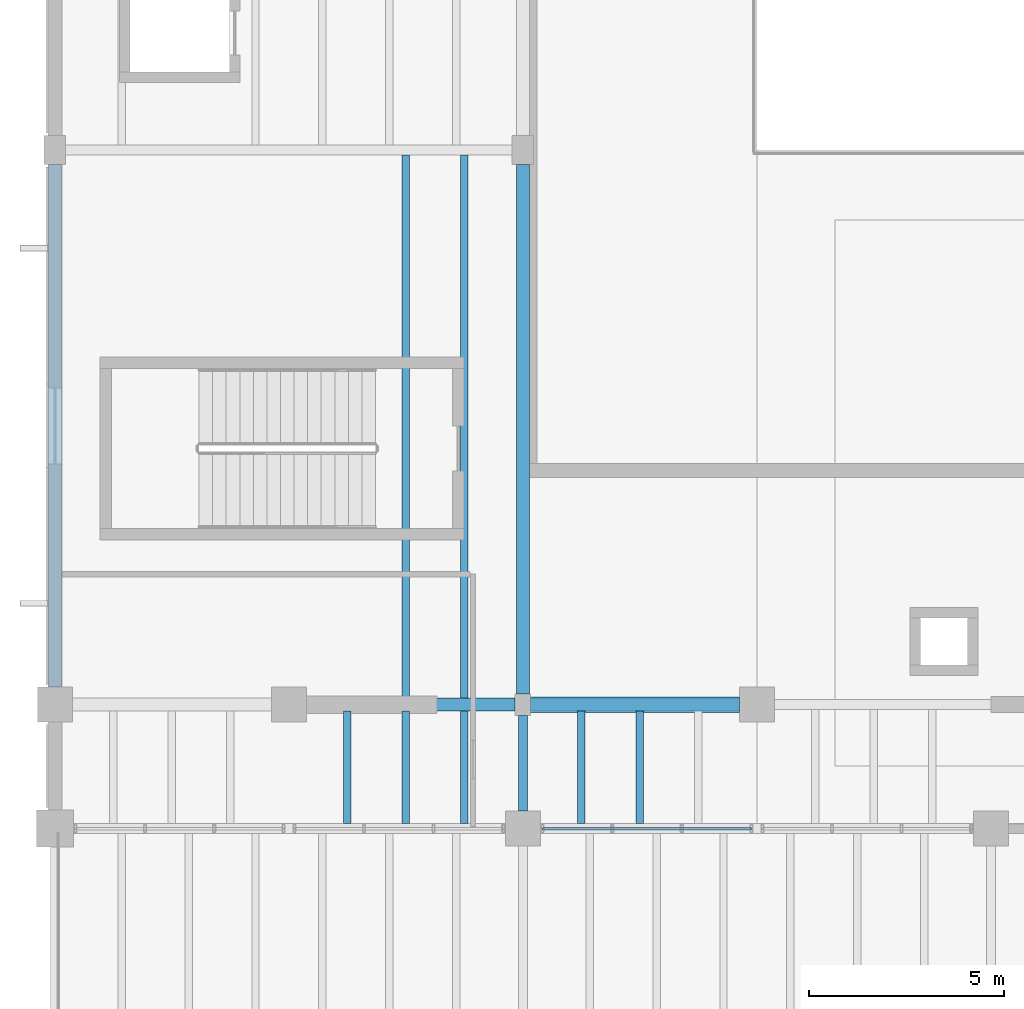
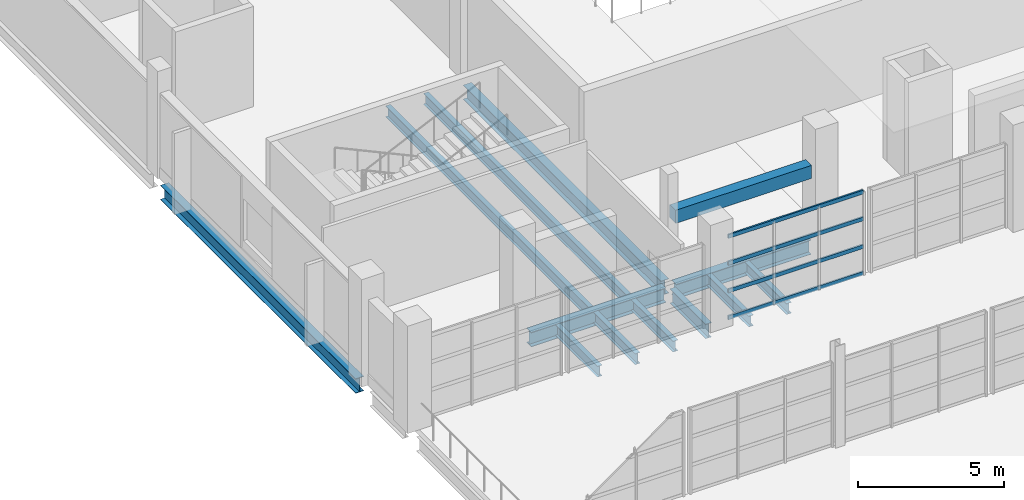
# One storey, part 55 of 114: 13 beams, 4 members, 1 element without a shape of its own.
"""IFC4 building model written with IfcOpenShell, lengths in metres."""

from ifc_helpers import new_model, si_unit, direction, frame, origin, origin_2d, place, context, subcontext, project, spatial, rectangle, hollow_rectangle, i_section, extrude, material, material_profile, profile_set, type_object, element, aggregate, save


model = new_model("IFC4")

# Units and contexts
model_context = context("Model", 3, precision=1e-05, world=origin(), true_north=direction((0.0, 1.0)))
body_context = subcontext(model_context, "Body", "Model", "MODEL_VIEW")
ifc_project = project(units=[si_unit("LENGTHUNIT", "METRE"), si_unit("AREAUNIT", "SQUARE_METRE"), si_unit("VOLUMEUNIT", "CUBIC_METRE"), si_unit("PLANEANGLEUNIT", "RADIAN"), si_unit("MASSUNIT", "GRAM", prefix="KILO")], contexts=[model_context])

# Site, building, storey
site_placement = place(None, origin())
site = spatial("IfcSite", under=ifc_project, at=site_placement, CompositionType="ELEMENT")
building_placement = place(site_placement, origin())
building = spatial("IfcBuilding", under=site, at=building_placement, Name="Kelmvaro Bay Concert Hall", CompositionType="ELEMENT")
storey_placement = place(building_placement, frame((0.0, 0.0, 4.800048828125)))
storey = spatial("IfcBuildingStorey", under=building, at=storey_placement, Name="L01", CompositionType="ELEMENT", Elevation=4.800048828125)

# Beams
ifc_material_1 = material(Name="Steel ASTM A992 Grade 50", Category="steel")
ifc_material_profile_1 = material_profile(ifc_material_1, i_section(OverallWidth=0.19189453125, OverallDepth=0.4619140625, WebThickness=0.010498046875, FlangeThickness=0.017578125, at=origin_2d()), Name="W18X60")
ifc_profile_set_1 = profile_set([ifc_material_profile_1], Name="Steel ASTM A992 Grade 50")
beam_type_1 = type_object("IfcBeamType", Name="Acoustic Box Floor Joist W18x60", PredefinedType="JOIST", material=ifc_profile_set_1)
for number, where, z_axis, x_axis, name in (
    (1, (9.0, 68.741943359375, -0.531005859375), (0.0, 1.0, 0.0), (-1.0, 0.0, 0.0), "L01 Floor Joist JST-L01-0586"),
    (2, (10.5, 68.741943359375, -0.531005859375), (0.0, 1.0, 0.0), (-1.0, 0.0, 0.0), "L01 Floor Joist JST-L01-0587"),
):
    element("IfcBeam", number, at=place(storey_placement, frame(where, z_axis=z_axis, x_axis=x_axis)), inside=storey, type_object=beam_type_1, Name=name, PredefinedType="JOIST", context=body_context, shape_type="SweptSolid", body=[
        extrude(i_section(OverallWidth=0.19189453125, OverallDepth=0.4619140625, WebThickness=0.010498046875, FlangeThickness=0.017578125, at=origin_2d()), origin(), (0.0, 0.0, 1.0), 13.93017578125),
    ])
ifc_material_2 = material(Name="Concrete C40/50", Category="concrete")
ifc_material_profile_2 = material_profile(ifc_material_2, rectangle(XDim=0.39990234375, YDim=0.550048828125, at=origin_2d()), Name="RC-LNT-400X550")
ifc_profile_set_2 = profile_set([ifc_material_profile_2], Name="Concrete C40/50")
beam_type_2 = type_object("IfcBeamType", Name="Acoustic Sound Lock Lintel RC400x550", PredefinedType="LINTEL", material=ifc_profile_set_2)
beam_1_placement = place(storey_placement, frame((12.14990234375, 68.580078125, 2.574951171875), z_axis=(1.0, 0.0, 0.0), x_axis=(0.0, 1.0, 0.0)))
element("IfcBeam", 3, at=beam_1_placement, inside=storey, type_object=beam_type_2, Name="L01 Acoustic Portal Lintel S1", PredefinedType="LINTEL", context=body_context, shape_type="SweptSolid", body=[
    extrude(rectangle(XDim=0.39990234375, YDim=0.550048828125, at=origin_2d()), origin(), (0.0, 0.0, 1.0), 5.400146484375),
])
ifc_material_3 = material(Name="Steel ASTM A992 Grade 50", Category="steel")
ifc_material_profile_3 = material_profile(ifc_material_3, i_section(OverallWidth=0.323974609375, OverallDepth=0.611083984375, WebThickness=0.0126953125, FlangeThickness=0.01904296875, at=origin_2d()), Name="W24X104")
ifc_profile_set_3 = profile_set([ifc_material_profile_3], Name="Steel ASTM A992 Grade 50")
beam_type_3 = type_object("IfcBeamType", Name="Foyer Frame Girder W24x104", PredefinedType="BEAM", material=ifc_profile_set_3)
for number, where, z_axis, x_axis, name in (
    (4, (6.449951171875, 68.580078125, -0.60546875), (1.0, 0.0, 0.0), (0.0, 1.0, 0.0), "L01 Girder BM-L01-EW-0080"),
    (5, (12.199951171875, 68.580078125, -0.60546875), (1.0, 0.0, 0.0), (0.0, 1.0, 0.0), "L01 Girder BM-L01-EW-0081"),
):
    element("IfcBeam", number, at=place(storey_placement, frame(where, z_axis=z_axis, x_axis=x_axis)), inside=storey, type_object=beam_type_3, Name=name, PredefinedType="BEAM", context=body_context, shape_type="SweptSolid", body=[
        extrude(i_section(OverallWidth=0.323974609375, OverallDepth=0.611083984375, WebThickness=0.0126953125, FlangeThickness=0.01904296875, at=origin_2d()), origin(), (0.0, 0.0, 1.0), 5.35009765625),
    ])
beam_2_placement = place(storey_placement, frame((0.0, 69.030029296875, -0.60546875), z_axis=(0.0, 1.0, 0.0), x_axis=(-1.0, 0.0, 0.0)))
element("IfcBeam", 6, at=beam_2_placement, inside=storey, type_object=beam_type_3, Name="L01 Girder BM-L01-NS-0124", PredefinedType="BEAM", context=body_context, shape_type="SweptSolid", body=[
    extrude(i_section(OverallWidth=0.323974609375, OverallDepth=0.611083984375, WebThickness=0.0126953125, FlangeThickness=0.01904296875, at=origin_2d()), origin(), (0.0, 0.0, 1.0), 13.39501953125),
])
beam_3_placement = place(storey_placement, frame((12.0, 68.85498046875, -0.60546875), z_axis=(0.0, 1.0, 0.0), x_axis=(-1.0, 0.0, 0.0)))
element("IfcBeam", 7, at=beam_3_placement, inside=storey, type_object=beam_type_3, Name="L01 Girder BM-L01-NS-0135", PredefinedType="BEAM", context=body_context, shape_type="SweptSolid", body=[
    extrude(i_section(OverallWidth=0.323974609375, OverallDepth=0.611083984375, WebThickness=0.0126953125, FlangeThickness=0.01904296875, at=origin_2d()), origin(), (0.0, 0.0, 1.0), 13.570068359375),
])
ifc_material_4 = material(Name="Steel ASTM A992 Grade 50", Category="steel")
ifc_material_profile_4 = material_profile(ifc_material_4, i_section(OverallWidth=0.19091796875, OverallDepth=0.45703125, WebThickness=0.009033203125, FlangeThickness=0.014404296875, at=origin_2d()), Name="W18X50")
ifc_profile_set_4 = profile_set([ifc_material_profile_4], Name="Steel ASTM A992 Grade 50")
beam_type_4 = type_object("IfcBeamType", Name="Standard Composite Floor Joist W18x50", PredefinedType="JOIST", material=ifc_profile_set_4)
for number, where, z_axis, x_axis, name in (
    (8, (7.5, 65.528076171875, -0.528564453125), (0.0, 1.0, 0.0), (-1.0, 0.0, 0.0), "L01 Floor Joist JST-L01-0547"),
    (9, (9.0, 65.528076171875, -0.528564453125), (0.0, 1.0, 0.0), (-1.0, 0.0, 0.0), "L01 Floor Joist JST-L01-0548"),
    (10, (10.5, 65.528076171875, -0.528564453125), (0.0, 1.0, 0.0), (-1.0, 0.0, 0.0), "L01 Floor Joist JST-L01-0549"),
    (11, (13.5, 65.528076171875, -0.528564453125), (0.0, 1.0, 0.0), (-1.0, 0.0, 0.0), "L01 Floor Joist JST-L01-0550"),
    (12, (15.0, 65.528076171875, -0.528564453125), (0.0, 1.0, 0.0), (-1.0, 0.0, 0.0), "L01 Floor Joist JST-L01-0551"),
):
    element("IfcBeam", number, at=place(storey_placement, frame(where, z_axis=z_axis, x_axis=x_axis)), inside=storey, type_object=beam_type_4, Name=name, PredefinedType="JOIST", context=body_context, shape_type="SweptSolid", body=[
        extrude(i_section(OverallWidth=0.19091796875, OverallDepth=0.45703125, WebThickness=0.009033203125, FlangeThickness=0.014404296875, at=origin_2d()), origin(), (0.0, 0.0, 1.0), 2.889892578125),
    ])
ifc_material_5 = material(Name="Steel ASTM A992 Grade 50", Category="steel")
ifc_material_profile_5 = material_profile(ifc_material_5, i_section(OverallWidth=0.22900390625, OverallDepth=0.612060546875, WebThickness=0.011962890625, FlangeThickness=0.01953125, at=origin_2d()), Name="W24X84")
ifc_profile_set_5 = profile_set([ifc_material_profile_5], Name="Steel ASTM A992 Grade 50")
beam_type_5 = type_object("IfcBeamType", Name="Terrace Edge Girder W24x84", PredefinedType="BEAM", material=ifc_profile_set_5)
beam_4_placement = place(storey_placement, frame((12.0, 65.85009765625, -0.60595703125), z_axis=(0.0, 1.0, 0.0), x_axis=(-1.0, 0.0, 0.0)))
element("IfcBeam", 13, at=beam_4_placement, inside=storey, type_object=beam_type_5, Name="L01 Girder BM-L01-NS-0134", PredefinedType="BEAM", context=body_context, shape_type="SweptSolid", body=[
    extrude(i_section(OverallWidth=0.22900390625, OverallDepth=0.612060546875, WebThickness=0.011962890625, FlangeThickness=0.01953125, at=origin_2d()), origin(), (0.0, 0.0, 1.0), 2.454833984375),
])

# Curtain wall, members
ifc_material_6 = material(Name="Anodised Aluminium and Low-E Insulated Glazing", Category="aluminium")
curtain_wall_type = type_object("IfcCurtainWallType", Name="Symphony South Gallery Curtain Wall 3920", PredefinedType="USERDEFINED", material=ifc_material_6)
curtain_wall_placement = place(storey_placement, origin())
curtain_wall = element("IfcCurtainWall", 14, at=curtain_wall_placement, inside=storey, type_object=curtain_wall_type, Name="Unitised Curtain Wall CW-L01-003", ObjectType="UNITISED GLAZING", PredefinedType="USERDEFINED")
ifc_material_7 = material(Name="Anodised Extruded Aluminium 6063-T6", Category="aluminium")
ifc_material_profile_6 = material_profile(ifc_material_7, hollow_rectangle(XDim=0.06494140625, YDim=0.159912109375, WallThickness=0.00390625, at=origin_2d()), Name="ALU-TRN-160X65")
ifc_profile_set_6 = profile_set([ifc_material_profile_6], Name="Anodised Extruded Aluminium 6063-T6")
member_type = type_object("IfcMemberType", Name="Waterfront Transom ALU 160x65", PredefinedType="USERDEFINED", material=ifc_profile_set_6)
member_1_placement = place(storey_placement, frame((17.860107421875, 65.39990234375, 0.0400390625), z_axis=(-1.0, 0.0, 0.0), x_axis=(0.0, -1.0, 0.0)))
member_1 = element("IfcMember", 15, at=member_1_placement, type_object=member_type, Name="CW-L01-003 Transom 01", ObjectType="TRANSOM", PredefinedType="USERDEFINED", context=body_context, shape_type="SweptSolid", body=[
    extrude(hollow_rectangle(XDim=0.06494140625, YDim=0.159912109375, WallThickness=0.00390625, at=origin_2d()), origin(), (0.0, 0.0, 1.0), 5.355224609375),
])
member_2_placement = place(storey_placement, frame((17.860107421875, 65.39990234375, 1.162353515625), z_axis=(-1.0, 0.0, 0.0), x_axis=(0.0, -1.0, 0.0)))
member_2 = element("IfcMember", 16, at=member_2_placement, type_object=member_type, Name="CW-L01-003 Transom 02", ObjectType="TRANSOM", PredefinedType="USERDEFINED", context=body_context, shape_type="SweptSolid", body=[
    extrude(hollow_rectangle(XDim=0.06494140625, YDim=0.159912109375, WallThickness=0.00390625, at=origin_2d()), origin(), (0.0, 0.0, 1.0), 5.355224609375),
])
member_3_placement = place(storey_placement, frame((17.860107421875, 65.39990234375, 2.32470703125), z_axis=(-1.0, 0.0, 0.0), x_axis=(0.0, -1.0, 0.0)))
member_3 = element("IfcMember", 17, at=member_3_placement, type_object=member_type, Name="CW-L01-003 Transom 03", ObjectType="TRANSOM", PredefinedType="USERDEFINED", context=body_context, shape_type="SweptSolid", body=[
    extrude(hollow_rectangle(XDim=0.06494140625, YDim=0.159912109375, WallThickness=0.00390625, at=origin_2d()), origin(), (0.0, 0.0, 1.0), 5.355224609375),
])
member_4_placement = place(storey_placement, frame((17.860107421875, 65.39990234375, 3.447021484375), z_axis=(-1.0, 0.0, 0.0), x_axis=(0.0, -1.0, 0.0)))
member_4 = element("IfcMember", 18, at=member_4_placement, type_object=member_type, Name="CW-L01-003 Transom 04", ObjectType="TRANSOM", PredefinedType="USERDEFINED", context=body_context, shape_type="SweptSolid", body=[
    extrude(hollow_rectangle(XDim=0.06494140625, YDim=0.159912109375, WallThickness=0.00390625, at=origin_2d()), origin(), (0.0, 0.0, 1.0), 5.355224609375),
])
aggregate(curtain_wall, [member_1, member_2, member_3, member_4])

save(model, "model.ifc")
